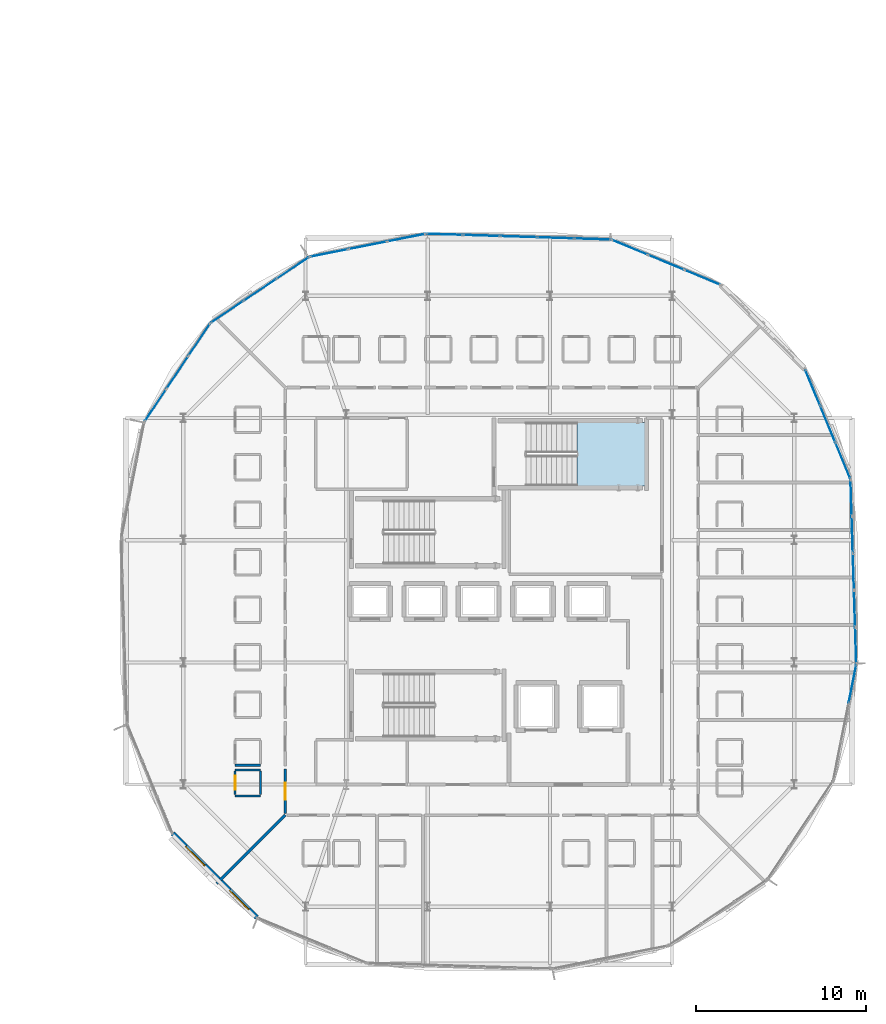
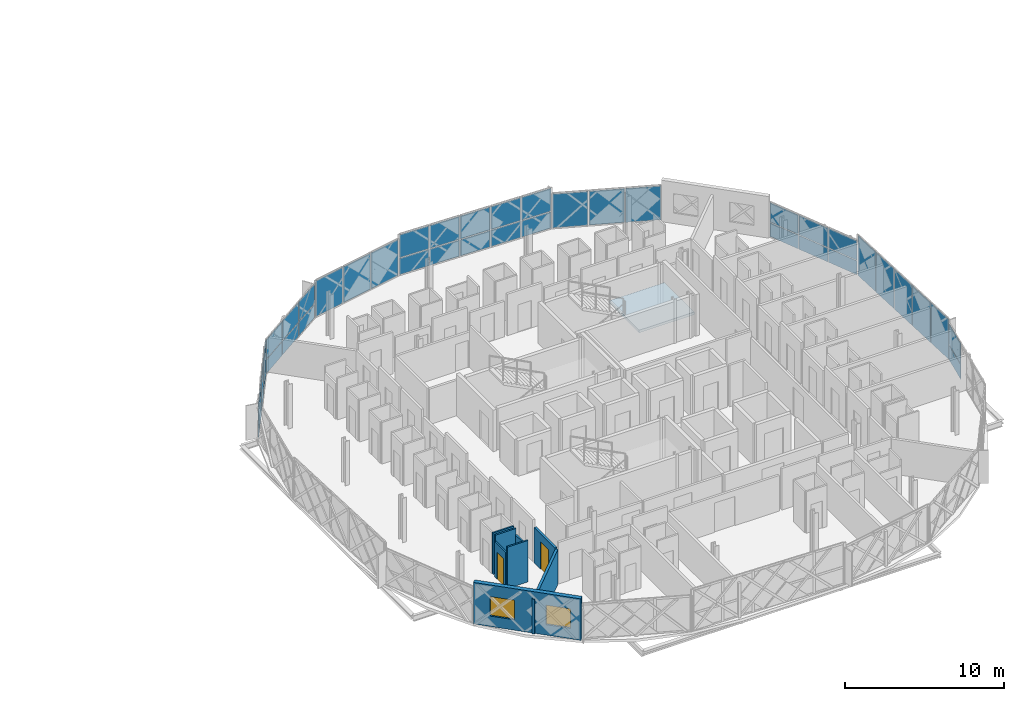
# One storey, part 14 of 26: 38 plates, 8 walls, 2 doors, 2 windows, 1 slab, 4 openings, 9 elements without a shape of their own.
"""IFC4 building model written with IfcOpenShell, lengths in metres."""

import ifcopenshell
import ifcopenshell.guid

model = None  # the IFC model being written
_history = None  # IfcOwnerHistory: only IFC2X3 demands one
_inside = {}  # id of a spatial element -> (the spatial element, [elements in it])
_under = {}  # id of a project, library or spatial element -> (it, [spatial elements below it])
_declared = {}  # id of a project -> (the project, [libraries it declares])
_typed = {}  # id of a type object -> (the type object, [elements of that type])
_made_of = {}  # id of a material, layer set ... -> (it, [elements and type objects made of it])


def new_model(schema):
    """Start an empty IFC model of exactly this schema.

    Asked for "IFC4X3", IfcOpenShell would pick the latest addendum, in which some entities
    have other attributes; the version numbers below select the first issue.
    IFC2X3 requires an IfcOwnerHistory on every rooted entity: one is made here for all.
    """
    global model, _history
    if schema == "IFC4X3":
        model = ifcopenshell.file(schema_version=(4, 3, 0, 0))
    else:
        model = ifcopenshell.file(schema=schema)
    _inside.clear()
    _under.clear()
    _declared.clear()
    _typed.clear()
    _made_of.clear()
    _history = None
    if model.schema == "IFC2X3":
        org = make("IfcOrganization", Name="unknown")
        user = make(
            "IfcPersonAndOrganization",
            ThePerson=make("IfcPerson", FamilyName="unknown"),
            TheOrganization=org,
        )
        app = make(
            "IfcApplication",
            ApplicationDeveloper=org,
            Version="unknown",
            ApplicationFullName="unknown",
            ApplicationIdentifier="unknown",
        )
        _history = make(
            "IfcOwnerHistory",
            OwningUser=user,
            OwningApplication=app,
            ChangeAction="ADDED",
            CreationDate=0,
        )
    return model


def make(cls, **values):
    """One entity of the class cls with the attributes given. An attribute that is None is left unset."""
    return model.create_entity(
        cls, **{name: value for name, value in values.items() if value is not None}
    )


def rooted(cls, **values):
    """An entity with a GlobalId (a new one), such as an element, a storey or a relation."""
    return make(cls, GlobalId=ifcopenshell.guid.new(), OwnerHistory=_history, **values)


def si_unit(unit_type, name, prefix=None):
    """IfcSIUnit, for example si_unit("LENGTHUNIT", "METRE", prefix="MILLI")."""
    return make("IfcSIUnit", UnitType=unit_type, Prefix=prefix, Name=name)


def assignment(units):
    """IfcUnitAssignment: the units of a project."""
    return None if units is None else make("IfcUnitAssignment", Units=units)


def point(xyz):
    """IfcCartesianPoint."""
    return None if xyz is None else make("IfcCartesianPoint", Coordinates=xyz)


def direction(xyz):
    """IfcDirection."""
    return None if xyz is None else make("IfcDirection", DirectionRatios=xyz)


def frame(location, z_axis=None, x_axis=None):
    """IfcAxis2Placement3D, a coordinate frame: its origin and axes. An axis left out is left unset."""
    return make(
        "IfcAxis2Placement3D",
        Location=point(location),
        Axis=direction(z_axis),
        RefDirection=direction(x_axis),
    )


def frame_2d(location, x_axis=None):
    """IfcAxis2Placement2D, a coordinate frame in the plane: its origin and x axis."""
    return make(
        "IfcAxis2Placement2D", Location=point(location), RefDirection=direction(x_axis)
    )


def origin():
    """The frame at (0, 0, 0) with its axes left unset."""
    return frame((0.0, 0.0, 0.0))


def origin_2d():
    """The frame at (0, 0) in the plane with its x axis left unset."""
    return frame_2d((0.0, 0.0))


def place(relative_to, where):
    """IfcLocalPlacement: puts the frame where relative to a parent placement (None: the world)."""
    return make(
        "IfcLocalPlacement", PlacementRelTo=relative_to, RelativePlacement=where
    )


def context(
    kind, dimensions, precision=None, world=None, true_north=None, identifier=None
):
    """IfcGeometricRepresentationContext, for example the 3D "Model" context."""
    return make(
        "IfcGeometricRepresentationContext",
        ContextIdentifier=identifier,
        ContextType=kind,
        CoordinateSpaceDimension=dimensions,
        Precision=precision,
        WorldCoordinateSystem=world,
        TrueNorth=true_north,
    )


def subcontext(parent, identifier, kind, view, scale=None):
    """IfcGeometricRepresentationSubContext, for example "Body" below "Model"."""
    return make(
        "IfcGeometricRepresentationSubContext",
        ContextIdentifier=identifier,
        ContextType=kind,
        ParentContext=parent,
        TargetScale=scale,
        TargetView=view,
    )


def project(units=None, contexts=None):
    """IfcProject with its units and contexts."""
    return rooted(
        "IfcProject",
        Name="project",
        RepresentationContexts=contexts,
        UnitsInContext=assignment(units),
    )


def spatial(cls, under=None, at=None, **own):
    """A site, building, storey or space (cls), placed at a placement, below another one or the project."""
    s = rooted(cls, ObjectPlacement=at, **own)
    if under is not None:
        _under.setdefault(under.id(), (under, []))[1].append(s)
    return s


def polyline(points):
    """IfcPolyline through the points."""
    return make("IfcPolyline", Points=[point(p) for p in points])


def profile(cls, at=None, kind="AREA", **sizes):
    """A parametric profile (cls). Its sizes go by their IFC names, for example OverallWidth=200.0."""
    return make(cls, ProfileType=kind, Position=at, **sizes)


def rectangle(**sizes):
    """IfcRectangleProfileDef."""
    return profile("IfcRectangleProfileDef", **sizes)


def outline(outer, holes=None, kind="AREA"):
    """IfcArbitraryClosedProfileDef: a profile drawn as a closed curve; with holes, ...WithVoids."""
    if holes is None:
        return make("IfcArbitraryClosedProfileDef", ProfileType=kind, OuterCurve=outer)
    return make(
        "IfcArbitraryProfileDefWithVoids",
        ProfileType=kind,
        OuterCurve=outer,
        InnerCurves=holes,
    )


def extrude(swept, where, along, depth):
    """IfcExtrudedAreaSolid: the profile swept, set in the frame where, extruded along a direction by depth."""
    return make(
        "IfcExtrudedAreaSolid",
        SweptArea=swept,
        Position=where,
        ExtrudedDirection=direction(along),
        Depth=depth,
    )


def shape(context_of_items, identifier, shape_type, items):
    """IfcShapeRepresentation: the items that make up one representation, for example the "Body"."""
    return make(
        "IfcShapeRepresentation",
        ContextOfItems=context_of_items,
        RepresentationIdentifier=identifier,
        RepresentationType=shape_type,
        Items=items,
    )


def material(Name=None, Category=None):
    """IfcMaterial."""
    return make("IfcMaterial", Name=Name, Category=Category)


def layer(
    of_material, thickness, ventilated=None, Name=None, Category=None, Priority=None
):
    """IfcMaterialLayer: one layer of a wall or slab, of a material (None: an air gap)."""
    return make(
        "IfcMaterialLayer",
        Material=of_material,
        LayerThickness=thickness,
        IsVentilated=ventilated,
        Name=Name,
        Category=Category,
        Priority=Priority,
    )


def layer_set(layers, Name=None):
    """IfcMaterialLayerSet."""
    return make("IfcMaterialLayerSet", MaterialLayers=layers, LayerSetName=Name)


def made_of(thing, what):
    """Note that an element or type object is made of a material, layer set ...; save() writes the relation."""
    if what is not None:
        _made_of.setdefault(what.id(), (what, []))[1].append(thing)
    return thing


def type_object(cls, material=None, **own):
    """A type object (cls), such as IfcWallType, which elements share."""
    return made_of(rooted(cls, **own), material)


def element(
    cls,
    number,
    at=None,
    inside=None,
    cuts=None,
    type_object=None,
    material=None,
    context=None,
    identifier="Body",
    shape_type=None,
    held_by="IfcProductDefinitionShape",
    body=None,
    shapes=None,
    **own,
):
    """One element of the class cls, such as IfcWall. Its Tag is "e" and its number.

    at: its placement. inside: the storey or other place that contains it. cuts: it is an
    opening in that element (IfcRelVoidsElement). A single representation is given by context,
    identifier, shape_type and body (its items); several are given by shapes. held_by: the class
    of the entity that holds the representations. save() writes the other relations.
    """
    e = rooted(cls, Tag="e%d" % number, ObjectPlacement=at, **own)
    if body is not None:
        shapes = [shape(context, identifier, shape_type, body)]
    if shapes is not None:
        e.Representation = make(held_by, Representations=shapes)
    if inside is not None:
        _inside.setdefault(inside.id(), (inside, []))[1].append(e)
    if cuts is not None:
        rooted(
            "IfcRelVoidsElement", RelatingBuildingElement=cuts, RelatedOpeningElement=e
        )
    if type_object is not None:
        _typed.setdefault(type_object.id(), (type_object, []))[1].append(e)
    return made_of(e, material)


def fill(opening, filler):
    """IfcRelFillsElement: the door or window that sits in an opening."""
    return rooted(
        "IfcRelFillsElement",
        RelatingOpeningElement=opening,
        RelatedBuildingElement=filler,
    )


def aggregate(whole, parts):
    """IfcRelAggregates: a whole, such as a stair, and the parts it consists of."""
    return rooted("IfcRelAggregates", RelatingObject=whole, RelatedObjects=parts)


def save(model, path):
    """Write the relations noted so far, then the file.

    IfcRelAggregates (storeys below a building ...), IfcRelContainedInSpatialStructure (elements
    in a storey), IfcRelDefinesByType, IfcRelAssociatesMaterial and IfcRelDeclares: one each for
    every whole, place, type object, material and project.
    """
    for whole, parts in _under.values():
        aggregate(whole, parts)
    for where, things in _inside.values():
        rooted(
            "IfcRelContainedInSpatialStructure",
            RelatedElements=things,
            RelatingStructure=where,
        )
    for kind, things in _typed.values():
        rooted("IfcRelDefinesByType", RelatedObjects=things, RelatingType=kind)
    for what, things in _made_of.values():
        rooted("IfcRelAssociatesMaterial", RelatedObjects=things, RelatingMaterial=what)
    for by, libraries in _declared.values():
        rooted("IfcRelDeclares", RelatingContext=by, RelatedDefinitions=libraries)
    model.write(path)


model = new_model("IFC4")

# Units and contexts
model_context = context("Model", 3, precision=1e-05, world=origin(), true_north=direction((0.0, 1.0)))
body_context = subcontext(model_context, "Body", "Model", "MODEL_VIEW")
ifc_project = project(units=[si_unit("LENGTHUNIT", "METRE"), si_unit("AREAUNIT", "SQUARE_METRE"), si_unit("VOLUMEUNIT", "CUBIC_METRE"), si_unit("PLANEANGLEUNIT", "RADIAN"), si_unit("MASSUNIT", "GRAM", prefix="KILO")], contexts=[model_context])

# Site, building, storey
site_placement = place(None, origin())
site = spatial("IfcSite", under=ifc_project, at=site_placement, CompositionType="ELEMENT")
building_placement = place(site_placement, origin())
building = spatial("IfcBuilding", under=site, at=building_placement, Name="Zevrakil Square Congress Hotel", CompositionType="ELEMENT")
storey_placement = place(building_placement, frame((0.0, 0.0, 24.89990234375)))
storey = spatial("IfcBuildingStorey", under=building, at=storey_placement, Name="L07", CompositionType="ELEMENT", Elevation=24.89990234375)

# Curtain wall, plate
ifc_material_1 = material(Name="Aluminium Anodised Bronze", Category="aluminium")
ifc_layer_1 = layer(ifc_material_1, 0.179931640625)
ifc_layer_set_1 = layer_set([ifc_layer_1], Name="Aluminium Anodised Bronze")
curtain_wall_type_1 = type_object("IfcCurtainWallType", Name="CW-L07-720", PredefinedType="USERDEFINED", material=ifc_layer_set_1)
curtain_wall_1_placement = place(storey_placement, origin())
curtain_wall_1 = element("IfcCurtainWall", 1, at=curtain_wall_1_placement, inside=storey, type_object=curtain_wall_type_1, Name="L07 diamond curtain wall CW-L07-0222", ObjectType="GLAZED CURTAIN WALL", PredefinedType="USERDEFINED")
ifc_material_2 = material(Name="Low-E Solar Control Double Glazing", Category="glass")
ifc_layer_2 = layer(ifc_material_2, 0.028076171875)
ifc_layer_set_2 = layer_set([ifc_layer_2], Name="Low-E Solar Control Double Glazing")
plate_type_1 = type_object("IfcPlateType", Name="CWP-GLAZ-28", PredefinedType="CURTAIN_PANEL", material=ifc_layer_set_2)
plate_1_placement = place(storey_placement, frame((166.62939453125, 22.735107421875, 0.06005859375), z_axis=(0.0, 0.0, 1.0), x_axis=(0.195083900459, 0.980786557708, 0.0)))
plate_1 = element("IfcPlate", 2, at=plate_1_placement, type_object=plate_type_1, Name="CW-82 panel 3.1", PredefinedType="CURTAIN_PANEL", context=body_context, shape_type="SweptSolid", body=[
    extrude(rectangle(XDim=2.2451171875, YDim=0.028076171875, at=origin_2d()), origin(), (0.0, 0.0, 1.0), 1.117431640625),
])

# Curtain wall, plates
ifc_material_3 = material(Name="Aluminium Anodised Bronze", Category="aluminium")
ifc_layer_3 = layer(ifc_material_3, 0.179931640625)
ifc_layer_set_3 = layer_set([ifc_layer_3], Name="Aluminium Anodised Bronze")
curtain_wall_type_2 = type_object("IfcCurtainWallType", Name="CW-L07-900", PredefinedType="USERDEFINED", material=ifc_layer_set_3)
curtain_wall_2_placement = place(storey_placement, origin())
curtain_wall_2 = element("IfcCurtainWall", 3, at=curtain_wall_2_placement, inside=storey, type_object=curtain_wall_type_2, Name="L07 diamond curtain wall CW-L07-0223", ObjectType="GLAZED CURTAIN WALL", PredefinedType="USERDEFINED")
plate_2_placement = place(storey_placement, frame((166.756591796875, 27.1689453125, 0.06005859375), z_axis=(0.0, 0.0, 1.0), x_axis=(-0.031598464383, 0.999500643846, 0.0)))
plate_2 = element("IfcPlate", 4, at=plate_2_placement, type_object=plate_type_1, Name="CW-84 panel 2.1", PredefinedType="CURTAIN_PANEL", context=body_context, shape_type="SweptSolid", body=[
    extrude(rectangle(XDim=2.12353515625, YDim=0.028076171875, at=origin_2d()), origin(), (0.0, 0.0, 1.0), 3.070068359375),
])
plate_3_placement = place(storey_placement, frame((166.618408203125, 31.533935546875, 0.06005859375), z_axis=(0.0, 0.0, 1.0), x_axis=(-0.031598464383, 0.999500643846, 0.0)))
plate_3 = element("IfcPlate", 5, at=plate_3_placement, type_object=plate_type_1, Name="CW-84 panel 4.1", PredefinedType="CURTAIN_PANEL", context=body_context, shape_type="SweptSolid", body=[
    extrude(rectangle(XDim=2.12353515625, YDim=0.028076171875, at=origin_2d()), origin(), (0.0, 0.0, 1.0), 3.070068359375),
])

curtain_wall_3_placement = place(storey_placement, origin())
curtain_wall_3 = element("IfcCurtainWall", 6, at=curtain_wall_3_placement, inside=storey, type_object=curtain_wall_type_1, Name="L07 diamond curtain wall CW-L07-0224", ObjectType="GLAZED CURTAIN WALL", PredefinedType="USERDEFINED")
plate_4_placement = place(storey_placement, frame((166.0625, 35.900390625, 0.06005859375), z_axis=(0.0, 0.0, 1.0), x_axis=(-0.382683763454, 0.92387939537, 0.0)))
plate_4 = element("IfcPlate", 7, at=plate_4_placement, type_object=plate_type_1, Name="CW-82 panel 1.1", PredefinedType="CURTAIN_PANEL", context=body_context, shape_type="SweptSolid", body=[
    extrude(rectangle(XDim=2.245361328125, YDim=0.028076171875, at=origin_2d()), origin(), (0.0, 0.0, 1.0), 1.054443359375),
])
plate_5_placement = place(storey_placement, frame((165.174560546875, 38.0439453125, 0.06005859375), z_axis=(0.0, 0.0, 1.0), x_axis=(-0.382683763454, 0.92387939537, 0.0)))
plate_5 = element("IfcPlate", 8, at=plate_5_placement, type_object=plate_type_1, Name="CW-82 panel 2.1", PredefinedType="CURTAIN_PANEL", context=body_context, shape_type="SweptSolid", body=[
    extrude(rectangle(XDim=2.275146484375, YDim=0.028076171875, at=origin_2d()), origin(), (0.0, 0.0, 1.0), 1.054443359375),
])
plate_6_placement = place(storey_placement, frame((164.28662109375, 40.187744140625, 1.1748046875), z_axis=(0.0, 0.0, 1.0), x_axis=(-0.382683763454, 0.92387939537, 0.0)))
plate_6 = element("IfcPlate", 9, at=plate_6_placement, type_object=plate_type_1, Name="CW-82 panel 3.2", PredefinedType="CURTAIN_PANEL", context=body_context, shape_type="SweptSolid", body=[
    extrude(rectangle(XDim=2.245361328125, YDim=0.028076171875, at=origin_2d()), origin(), (0.0, 0.0, 1.0), 1.490478515625),
])

# Curtain wall, plate
curtain_wall_4_placement = place(storey_placement, origin())
curtain_wall_4 = element("IfcCurtainWall", 10, at=curtain_wall_4_placement, inside=storey, type_object=curtain_wall_type_1, Name="L07 diamond curtain wall CW-L07-0225", ObjectType="GLAZED CURTAIN WALL", PredefinedType="USERDEFINED")
plate_7_placement = place(storey_placement, frame((155.64404296875, 47.574462890625, 0.06005859375), z_axis=(0.0, 0.0, 1.0), x_axis=(-0.92387939537, 0.382683763454, 0.0)))
plate_7 = element("IfcPlate", 11, at=plate_7_placement, type_object=plate_type_1, Name="CW-82 panel 2.1", PredefinedType="CURTAIN_PANEL", context=body_context, shape_type="SweptSolid", body=[
    extrude(rectangle(XDim=2.275146484375, YDim=0.028076171875, at=origin_2d()), origin(), (0.0, 0.0, 1.0), 2.60498046875),
])

# Curtain wall, plates
curtain_wall_5_placement = place(storey_placement, origin())
curtain_wall_5 = element("IfcCurtainWall", 12, at=curtain_wall_5_placement, inside=storey, type_object=curtain_wall_type_2, Name="L07 diamond curtain wall CW-L07-0226", ObjectType="GLAZED CURTAIN WALL", PredefinedType="USERDEFINED")
plate_8_placement = place(storey_placement, frame((151.301513671875, 48.949951171875, 0.06005859375), z_axis=(0.0, 0.0, 1.0), x_axis=(-0.999500643846, 0.031598464383, 0.0)))
plate_8 = element("IfcPlate", 13, at=plate_8_placement, type_object=plate_type_1, Name="CW-84 panel 1.1", PredefinedType="CURTAIN_PANEL", context=body_context, shape_type="SweptSolid", body=[
    extrude(rectangle(XDim=2.09375, YDim=0.028076171875, at=origin_2d()), origin(), (0.0, 0.0, 1.0), 1.249755859375),
])
plate_9_placement = place(storey_placement, frame((149.134033203125, 49.0185546875, 1.369873046875), z_axis=(0.0, 0.0, 1.0), x_axis=(-0.999500643846, 0.031598464383, 0.0)))
plate_9 = element("IfcPlate", 14, at=plate_9_placement, type_object=plate_type_1, Name="CW-84 panel 2.2", PredefinedType="CURTAIN_PANEL", context=body_context, shape_type="SweptSolid", body=[
    extrude(rectangle(XDim=2.12353515625, YDim=0.028076171875, at=origin_2d()), origin(), (0.0, 0.0, 1.0), 1.76025390625),
])
plate_10_placement = place(storey_placement, frame((146.951416015625, 49.08740234375, 1.369873046875), z_axis=(0.0, 0.0, 1.0), x_axis=(-0.999500643846, 0.031598464383, 0.0)))
plate_10 = element("IfcPlate", 15, at=plate_10_placement, type_object=plate_type_1, Name="CW-84 panel 3.2", PredefinedType="CURTAIN_PANEL", context=body_context, shape_type="SweptSolid", body=[
    extrude(rectangle(XDim=2.12353515625, YDim=0.028076171875, at=origin_2d()), origin(), (0.0, 0.0, 1.0), 1.76025390625),
])
plate_11_placement = place(storey_placement, frame((142.601318359375, 49.22509765625, 0.06005859375), z_axis=(0.0, 0.0, 1.0), x_axis=(-0.999500643846, 0.031598464383, 0.0)))
plate_11 = element("IfcPlate", 16, at=plate_11_placement, type_object=plate_type_1, Name="CW-84 panel 5.1", PredefinedType="CURTAIN_PANEL", context=body_context, shape_type="SweptSolid", body=[
    extrude(rectangle(XDim=2.09375, YDim=0.028076171875, at=origin_2d()), origin(), (0.0, 0.0, 1.0), 1.249755859375),
])

# Curtain wall, plate
curtain_wall_6_placement = place(storey_placement, origin())
curtain_wall_6 = element("IfcCurtainWall", 17, at=curtain_wall_6_placement, inside=storey, type_object=curtain_wall_type_1, Name="L07 diamond curtain wall CW-L07-0227", ObjectType="GLAZED CURTAIN WALL", PredefinedType="USERDEFINED")
plate_12_placement = place(storey_placement, frame((135.78369140625, 48.1240234375, 0.06005859375), z_axis=(0.0, 0.0, 1.0), x_axis=(-0.980786557708, -0.195083900459, 0.0)))
plate_12 = element("IfcPlate", 18, at=plate_12_placement, type_object=plate_type_1, Name="CW-82 panel 3.1", PredefinedType="CURTAIN_PANEL", context=body_context, shape_type="SweptSolid", body=[
    extrude(rectangle(XDim=2.2451171875, YDim=0.028076171875, at=origin_2d()), origin(), (0.0, 0.0, 1.0), 2.7548828125),
])

# Curtain wall, plates
curtain_wall_7_placement = place(storey_placement, origin())
curtain_wall_7 = element("IfcCurtainWall", 19, at=curtain_wall_7_placement, inside=storey, type_object=curtain_wall_type_1, Name="L07 diamond curtain wall CW-L07-0228", ObjectType="GLAZED CURTAIN WALL", PredefinedType="USERDEFINED")
plate_13_placement = place(storey_placement, frame((133.640625, 47.236328125, 1.1748046875), z_axis=(0.0, 0.0, 1.0), x_axis=(-0.831465693332, -0.555576098128, 0.0)))
plate_13 = element("IfcPlate", 20, at=plate_13_placement, type_object=plate_type_1, Name="CW-82 panel 1.2", PredefinedType="CURTAIN_PANEL", context=body_context, shape_type="SweptSolid", body=[
    extrude(rectangle(XDim=2.2451171875, YDim=0.028076171875, at=origin_2d()), origin(), (0.0, 0.0, 1.0), 1.490478515625),
])
plate_14_placement = place(storey_placement, frame((131.71142578125, 45.947265625, 1.1748046875), z_axis=(0.0, 0.0, 1.0), x_axis=(-0.831465693332, -0.555576098128, 0.0)))
plate_14 = element("IfcPlate", 21, at=plate_14_placement, type_object=plate_type_1, Name="CW-82 panel 2.2", PredefinedType="CURTAIN_PANEL", context=body_context, shape_type="SweptSolid", body=[
    extrude(rectangle(XDim=2.275146484375, YDim=0.028076171875, at=origin_2d()), origin(), (0.0, 0.0, 1.0), 1.490478515625),
])

curtain_wall_8_placement = place(storey_placement, origin())
curtain_wall_8 = element("IfcCurtainWall", 22, at=curtain_wall_8_placement, inside=storey, type_object=curtain_wall_type_1, Name="L07 diamond curtain wall CW-L07-0229", ObjectType="GLAZED CURTAIN WALL", PredefinedType="USERDEFINED")
plate_15_placement = place(storey_placement, frame((128.141845703125, 43.017822265625, 0.06005859375), z_axis=(0.0, 0.0, 1.0), x_axis=(-0.555576098128, -0.831465693332, 0.0)))
plate_15 = element("IfcPlate", 23, at=plate_15_placement, type_object=plate_type_1, Name="CW-82 panel 1.1", PredefinedType="CURTAIN_PANEL", context=body_context, shape_type="SweptSolid", body=[
    extrude(rectangle(XDim=2.2451171875, YDim=0.028076171875, at=origin_2d()), origin(), (0.0, 0.0, 1.0), 2.60498046875),
])
plate_16_placement = place(storey_placement, frame((125.563720703125, 39.159423828125, 0.06005859375), z_axis=(0.0, 0.0, 1.0), x_axis=(-0.555576098128, -0.831465693332, 0.0)))
plate_16 = element("IfcPlate", 24, at=plate_16_placement, type_object=plate_type_1, Name="CW-82 panel 3.1", PredefinedType="CURTAIN_PANEL", context=body_context, shape_type="SweptSolid", body=[
    extrude(rectangle(XDim=2.2451171875, YDim=0.028076171875, at=origin_2d()), origin(), (0.0, 0.0, 1.0), 2.60498046875),
])

# Plate
ifc_material_4 = material(Name="Basalt Grey Ribbed GRC Panel", Category="masonry")
ifc_layer_4 = layer(ifc_material_4, 0.0439453125)
ifc_layer_set_4 = layer_set([ifc_layer_4], Name="Basalt Grey Ribbed GRC Panel")
plate_type_2 = type_object("IfcPlateType", Name="CWP-GRCG-44", PredefinedType="CURTAIN_PANEL", material=ifc_layer_set_4)
plate_17_placement = place(storey_placement, frame((166.824951171875, 25.001220703125, 0.06005859375), z_axis=(0.0, 0.0, 1.0), x_axis=(-0.031598464383, 0.999500643846, 0.0)))
plate_17 = element("IfcPlate", 25, at=plate_17_placement, type_object=plate_type_2, Name="CW-84 panel 1.1", PredefinedType="CURTAIN_PANEL", context=body_context, shape_type="SweptSolid", body=[
    extrude(rectangle(XDim=2.09375, YDim=0.028076171875, at=origin_2d()), origin(), (0.0, 0.0, 1.0), 3.070068359375),
])

plate_18_placement = place(storey_placement, frame((164.28662109375, 40.187744140625, 0.06005859375), z_axis=(0.0, 0.0, 1.0), x_axis=(-0.382683763454, 0.92387939537, 0.0)))
plate_18 = element("IfcPlate", 26, at=plate_18_placement, type_object=plate_type_2, Name="CW-82 panel 3.1", PredefinedType="CURTAIN_PANEL", context=body_context, shape_type="SweptSolid", body=[
    extrude(rectangle(XDim=2.245361328125, YDim=0.028076171875, at=origin_2d()), origin(), (0.0, 0.0, 1.0), 1.054443359375),
])

plate_19_placement = place(storey_placement, frame((149.134033203125, 49.0185546875, 0.06005859375), z_axis=(0.0, 0.0, 1.0), x_axis=(-0.999500643846, 0.031598464383, 0.0)))
plate_19 = element("IfcPlate", 27, at=plate_19_placement, type_object=plate_type_2, Name="CW-84 panel 2.1", PredefinedType="CURTAIN_PANEL", context=body_context, shape_type="SweptSolid", body=[
    extrude(rectangle(XDim=2.12353515625, YDim=0.028076171875, at=origin_2d()), origin(), (0.0, 0.0, 1.0), 1.249755859375),
])

plate_20_placement = place(storey_placement, frame((144.768798828125, 49.156494140625, 1.369873046875), z_axis=(0.0, 0.0, 1.0), x_axis=(-0.999500643846, 0.031598464383, 0.0)))
plate_20 = element("IfcPlate", 28, at=plate_20_placement, type_object=plate_type_2, Name="CW-84 panel 4.2", PredefinedType="CURTAIN_PANEL", context=body_context, shape_type="SweptSolid", body=[
    extrude(rectangle(XDim=2.12353515625, YDim=0.028076171875, at=origin_2d()), origin(), (0.0, 0.0, 1.0), 1.76025390625),
])

plate_21_placement = place(storey_placement, frame((138.0595703125, 48.57666015625, 0.06005859375), z_axis=(0.0, 0.0, 1.0), x_axis=(-0.980786557708, -0.195083900459, 0.0)))
plate_21 = element("IfcPlate", 29, at=plate_21_placement, type_object=plate_type_2, Name="CW-82 panel 2.1", PredefinedType="CURTAIN_PANEL", context=body_context, shape_type="SweptSolid", body=[
    extrude(rectangle(XDim=2.275146484375, YDim=0.028076171875, at=origin_2d()), origin(), (0.0, 0.0, 1.0), 2.7548828125),
])

plate_22_placement = place(storey_placement, frame((133.640625, 47.236328125, 0.06005859375), z_axis=(0.0, 0.0, 1.0), x_axis=(-0.831465693332, -0.555576098128, 0.0)))
plate_22 = element("IfcPlate", 30, at=plate_22_placement, type_object=plate_type_2, Name="CW-82 panel 1.1", PredefinedType="CURTAIN_PANEL", context=body_context, shape_type="SweptSolid", body=[
    extrude(rectangle(XDim=2.2451171875, YDim=0.028076171875, at=origin_2d()), origin(), (0.0, 0.0, 1.0), 1.054443359375),
])

plate_23_placement = place(storey_placement, frame((129.7822265625, 44.658203125, 1.1748046875), z_axis=(0.0, 0.0, 1.0), x_axis=(-0.831465693332, -0.555576098128, 0.0)))
plate_23 = element("IfcPlate", 31, at=plate_23_placement, type_object=plate_type_2, Name="CW-82 panel 3.2", PredefinedType="CURTAIN_PANEL", context=body_context, shape_type="SweptSolid", body=[
    extrude(rectangle(XDim=2.2451171875, YDim=0.028076171875, at=origin_2d()), origin(), (0.0, 0.0, 1.0), 1.490478515625),
])

ifc_material_5 = material(Name="White Ribbed Highland GRC Panel", Category="concrete")
ifc_layer_5 = layer(ifc_material_5, 0.0400390625)
ifc_layer_set_5 = layer_set([ifc_layer_5], Name="White Ribbed Highland GRC Panel")
plate_type_3 = type_object("IfcPlateType", Name="CWP-GRCW-40", PredefinedType="CURTAIN_PANEL", material=ifc_layer_set_5)
plate_24_placement = place(storey_placement, frame((166.62939453125, 22.735107421875, 1.23779296875), z_axis=(0.0, 0.0, 1.0), x_axis=(0.195083900459, 0.980786557708, 0.0)))
plate_24 = element("IfcPlate", 32, at=plate_24_placement, type_object=plate_type_3, Name="CW-82 panel 3.2", PredefinedType="CURTAIN_PANEL", context=body_context, shape_type="SweptSolid", body=[
    extrude(rectangle(XDim=2.2451171875, YDim=0.028076171875, at=origin_2d()), origin(), (0.0, 0.0, 1.0), 1.577392578125),
])

aggregate(curtain_wall_1, [plate_1, plate_24])

plate_25_placement = place(storey_placement, frame((166.6875, 29.351318359375, 0.06005859375), z_axis=(0.0, 0.0, 1.0), x_axis=(-0.031598464383, 0.999500643846, 0.0)))
plate_25 = element("IfcPlate", 33, at=plate_25_placement, type_object=plate_type_3, Name="CW-84 panel 3.1", PredefinedType="CURTAIN_PANEL", context=body_context, shape_type="SweptSolid", body=[
    extrude(rectangle(XDim=2.12353515625, YDim=0.028076171875, at=origin_2d()), origin(), (0.0, 0.0, 1.0), 3.070068359375),
])

plate_26_placement = place(storey_placement, frame((166.550048828125, 33.701416015625, 0.06005859375), z_axis=(0.0, 0.0, 1.0), x_axis=(-0.031598464383, 0.999500643846, 0.0)))
plate_26 = element("IfcPlate", 34, at=plate_26_placement, type_object=plate_type_3, Name="CW-84 panel 5.1", PredefinedType="CURTAIN_PANEL", context=body_context, shape_type="SweptSolid", body=[
    extrude(rectangle(XDim=2.09375, YDim=0.028076171875, at=origin_2d()), origin(), (0.0, 0.0, 1.0), 3.070068359375),
])

aggregate(curtain_wall_2, [plate_17, plate_2, plate_25, plate_3, plate_26])

plate_27_placement = place(storey_placement, frame((166.0625, 35.900390625, 1.1748046875), z_axis=(0.0, 0.0, 1.0), x_axis=(-0.382683763454, 0.92387939537, 0.0)))
plate_27 = element("IfcPlate", 35, at=plate_27_placement, type_object=plate_type_3, Name="CW-82 panel 1.2", PredefinedType="CURTAIN_PANEL", context=body_context, shape_type="SweptSolid", body=[
    extrude(rectangle(XDim=2.245361328125, YDim=0.028076171875, at=origin_2d()), origin(), (0.0, 0.0, 1.0), 1.490478515625),
])

plate_28_placement = place(storey_placement, frame((165.174560546875, 38.0439453125, 1.1748046875), z_axis=(0.0, 0.0, 1.0), x_axis=(-0.382683763454, 0.92387939537, 0.0)))
plate_28 = element("IfcPlate", 36, at=plate_28_placement, type_object=plate_type_3, Name="CW-82 panel 2.2", PredefinedType="CURTAIN_PANEL", context=body_context, shape_type="SweptSolid", body=[
    extrude(rectangle(XDim=2.275146484375, YDim=0.028076171875, at=origin_2d()), origin(), (0.0, 0.0, 1.0), 1.490478515625),
])

aggregate(curtain_wall_3, [plate_4, plate_27, plate_5, plate_28, plate_18, plate_6])

plate_29_placement = place(storey_placement, frame((157.78759765625, 46.6865234375, 0.06005859375), z_axis=(0.0, 0.0, 1.0), x_axis=(-0.92387939537, 0.382683763454, 0.0)))
plate_29 = element("IfcPlate", 37, at=plate_29_placement, type_object=plate_type_3, Name="CW-82 panel 1.1", PredefinedType="CURTAIN_PANEL", context=body_context, shape_type="SweptSolid", body=[
    extrude(rectangle(XDim=2.245361328125, YDim=0.028076171875, at=origin_2d()), origin(), (0.0, 0.0, 1.0), 2.60498046875),
])

plate_30_placement = place(storey_placement, frame((153.50048828125, 48.46240234375, 0.06005859375), z_axis=(0.0, 0.0, 1.0), x_axis=(-0.92387939537, 0.382683763454, 0.0)))
plate_30 = element("IfcPlate", 38, at=plate_30_placement, type_object=plate_type_3, Name="CW-82 panel 3.1", PredefinedType="CURTAIN_PANEL", context=body_context, shape_type="SweptSolid", body=[
    extrude(rectangle(XDim=2.245361328125, YDim=0.028076171875, at=origin_2d()), origin(), (0.0, 0.0, 1.0), 2.60498046875),
])

aggregate(curtain_wall_4, [plate_29, plate_7, plate_30])

plate_31_placement = place(storey_placement, frame((151.301513671875, 48.949951171875, 1.369873046875), z_axis=(0.0, 0.0, 1.0), x_axis=(-0.999500643846, 0.031598464383, 0.0)))
plate_31 = element("IfcPlate", 39, at=plate_31_placement, type_object=plate_type_3, Name="CW-84 panel 1.2", PredefinedType="CURTAIN_PANEL", context=body_context, shape_type="SweptSolid", body=[
    extrude(rectangle(XDim=2.09375, YDim=0.028076171875, at=origin_2d()), origin(), (0.0, 0.0, 1.0), 1.76025390625),
])

plate_32_placement = place(storey_placement, frame((146.951416015625, 49.08740234375, 0.06005859375), z_axis=(0.0, 0.0, 1.0), x_axis=(-0.999500643846, 0.031598464383, 0.0)))
plate_32 = element("IfcPlate", 40, at=plate_32_placement, type_object=plate_type_3, Name="CW-84 panel 3.1", PredefinedType="CURTAIN_PANEL", context=body_context, shape_type="SweptSolid", body=[
    extrude(rectangle(XDim=2.12353515625, YDim=0.028076171875, at=origin_2d()), origin(), (0.0, 0.0, 1.0), 1.249755859375),
])

plate_33_placement = place(storey_placement, frame((144.768798828125, 49.156494140625, 0.06005859375), z_axis=(0.0, 0.0, 1.0), x_axis=(-0.999500643846, 0.031598464383, 0.0)))
plate_33 = element("IfcPlate", 41, at=plate_33_placement, type_object=plate_type_3, Name="CW-84 panel 4.1", PredefinedType="CURTAIN_PANEL", context=body_context, shape_type="SweptSolid", body=[
    extrude(rectangle(XDim=2.12353515625, YDim=0.028076171875, at=origin_2d()), origin(), (0.0, 0.0, 1.0), 1.249755859375),
])

plate_34_placement = place(storey_placement, frame((142.601318359375, 49.22509765625, 1.369873046875), z_axis=(0.0, 0.0, 1.0), x_axis=(-0.999500643846, 0.031598464383, 0.0)))
plate_34 = element("IfcPlate", 42, at=plate_34_placement, type_object=plate_type_3, Name="CW-84 panel 5.2", PredefinedType="CURTAIN_PANEL", context=body_context, shape_type="SweptSolid", body=[
    extrude(rectangle(XDim=2.09375, YDim=0.028076171875, at=origin_2d()), origin(), (0.0, 0.0, 1.0), 1.76025390625),
])

aggregate(curtain_wall_5, [plate_8, plate_31, plate_19, plate_9, plate_32, plate_10, plate_33, plate_20, plate_11, plate_34])

plate_35_placement = place(storey_placement, frame((140.335205078125, 49.029296875, 0.06005859375), z_axis=(0.0, 0.0, 1.0), x_axis=(-0.980786557708, -0.195083900459, 0.0)))
plate_35 = element("IfcPlate", 43, at=plate_35_placement, type_object=plate_type_3, Name="CW-82 panel 1.1", PredefinedType="CURTAIN_PANEL", context=body_context, shape_type="SweptSolid", body=[
    extrude(rectangle(XDim=2.2451171875, YDim=0.028076171875, at=origin_2d()), origin(), (0.0, 0.0, 1.0), 2.7548828125),
])

aggregate(curtain_wall_6, [plate_35, plate_21, plate_12])

plate_36_placement = place(storey_placement, frame((131.71142578125, 45.947265625, 0.06005859375), z_axis=(0.0, 0.0, 1.0), x_axis=(-0.831465693332, -0.555576098128, 0.0)))
plate_36 = element("IfcPlate", 44, at=plate_36_placement, type_object=plate_type_3, Name="CW-82 panel 2.1", PredefinedType="CURTAIN_PANEL", context=body_context, shape_type="SweptSolid", body=[
    extrude(rectangle(XDim=2.275146484375, YDim=0.028076171875, at=origin_2d()), origin(), (0.0, 0.0, 1.0), 1.054443359375),
])

plate_37_placement = place(storey_placement, frame((129.7822265625, 44.658203125, 0.06005859375), z_axis=(0.0, 0.0, 1.0), x_axis=(-0.831465693332, -0.555576098128, 0.0)))
plate_37 = element("IfcPlate", 45, at=plate_37_placement, type_object=plate_type_3, Name="CW-82 panel 3.1", PredefinedType="CURTAIN_PANEL", context=body_context, shape_type="SweptSolid", body=[
    extrude(rectangle(XDim=2.2451171875, YDim=0.028076171875, at=origin_2d()), origin(), (0.0, 0.0, 1.0), 1.054443359375),
])

aggregate(curtain_wall_7, [plate_22, plate_13, plate_36, plate_14, plate_37, plate_23])

plate_38_placement = place(storey_placement, frame((126.852783203125, 41.088623046875, 0.06005859375), z_axis=(0.0, 0.0, 1.0), x_axis=(-0.555576098128, -0.831465693332, 0.0)))
plate_38 = element("IfcPlate", 46, at=plate_38_placement, type_object=plate_type_3, Name="CW-82 panel 2.1", PredefinedType="CURTAIN_PANEL", context=body_context, shape_type="SweptSolid", body=[
    extrude(rectangle(XDim=2.275146484375, YDim=0.028076171875, at=origin_2d()), origin(), (0.0, 0.0, 1.0), 2.60498046875),
])

aggregate(curtain_wall_8, [plate_15, plate_38, plate_16])

# Stair, slab
ifc_material_6 = material(Name="Concrete C35/45", Category="concrete")
stair_type = type_object("IfcStairType", Name="STR-DOGLEG-180", PredefinedType="HALF_TURN_STAIR", material=ifc_material_6)
stair_placement = place(storey_placement, origin())
stair = element("IfcStair", 47, at=stair_placement, inside=storey, type_object=stair_type, Name="L07 Protected exit stair ST03", PredefinedType="HALF_TURN_STAIR")
ifc_material_7 = material(Name="Concrete C35/45", Category="concrete")
ifc_layer_6 = layer(ifc_material_7, 0.199951171875)
ifc_layer_set_6 = layer_set([ifc_layer_6], Name="Concrete C35/45")
slab_type = type_object("IfcSlabType", Name="SLB-STAIR-LAND-200", PredefinedType="LANDING", material=ifc_layer_set_6)
slab_placement = place(storey_placement, frame((0.0, 0.0, 1.5)))
slab = element("IfcSlab", 48, at=slab_placement, type_object=slab_type, Name="ST03 landing 1", PredefinedType="LANDING", context=body_context, shape_type="SweptSolid", body=[
    extrude(outline(polyline([(150.39990234375, 34.39990234375), (154.39990234375, 34.39990234375), (154.39990234375, 38.14990234375), (150.39990234375, 38.14990234375), (150.39990234375, 34.39990234375)])), origin(), (0.0, 0.0, 1.0), 0.2001953125),
])
aggregate(stair, [slab])

# Wall, opening, door
ifc_material_8 = material(Name="Gypsum Acoustic Stud Partition")
ifc_layer_7 = layer(ifc_material_8, 0.159912109375)
ifc_layer_set_7 = layer_set([ifc_layer_7], Name="Gypsum Acoustic Stud Partition")
wall_type_1 = type_object("IfcWallType", Name="WAL-CORR-160", PredefinedType="PARTITIONING", material=ifc_layer_set_7)
wall_1_placement = place(storey_placement, frame((133.199951171875, 15.094970703125, 0.0), z_axis=(0.0, 0.0, 1.0), x_axis=(0.0, 1.0, 0.0)))
wall_1 = element("IfcWall", 49, at=wall_1_placement, inside=storey, type_object=wall_type_1, Name="L07 interior partition PW-L07-1106", PredefinedType="PARTITIONING", context=body_context, shape_type="SweptSolid", body=[
    extrude(rectangle(XDim=2.610107421875, YDim=0.159912109375, at=frame_2d((1.30517578125, 0.0))), origin(), (0.0, 0.0, 1.0), 2.72509765625),
])
opening_1_placement = place(wall_1_placement, frame((0.806884765625, 0.0, 0.0)))
opening_1 = element("IfcOpeningElement", 50, at=opening_1_placement, cuts=wall_1, Name="Opening ID-H13", PredefinedType="OPENING", context=body_context, shape_type="SweptSolid", body=[
    extrude(rectangle(XDim=0.99609375, YDim=2.10009765625, at=frame_2d((0.498046875, 1.050048828125))), frame((0.0, 0.08984375, 0.0), z_axis=(0.0, -1.0, 0.0), x_axis=(1.0, 0.0, 0.0)), (0.0, 0.0, 1.0), 0.179931640625),
])
ifc_material_9 = material(Name="Acoustic Timber Fire Door", Category="wood")
door_type_1 = type_object("IfcDoorType", Name="DOR-INT-H13", OperationType="NOTDEFINED", PredefinedType="DOOR", material=ifc_material_9)
door_1_placement = place(opening_1_placement, origin())
door_1 = element("IfcDoor", 51, at=door_1_placement, inside=storey, type_object=door_type_1, Name="L07 interior door 434", OperationType="SINGLE_SWING_RIGHT", OverallHeight=2.10009765625, OverallWidth=0.99609375, PredefinedType="DOOR", context=body_context, shape_type="SweptSolid", body=[
    extrude(rectangle(XDim=0.99609375, YDim=2.10009765625, at=frame_2d((0.498046875, 1.050048828125))), frame((0.0, 0.02490234375, 0.0), z_axis=(0.0, -1.0, 0.0), x_axis=(1.0, 0.0, 0.0)), (0.0, 0.0, 1.0), 0.050048828125),
])
fill(opening_1, door_1)

# Walls
ifc_material_10 = material(Name="Moisture-Resistant Gypsum Partition")
ifc_layer_8 = layer(ifc_material_10, 0.1201171875)
ifc_layer_set_8 = layer_set([ifc_layer_8], Name="Moisture-Resistant Gypsum Partition")
wall_type_2 = type_object("IfcWallType", Name="WAL-ENS-120", PredefinedType="PARTITIONING", material=ifc_layer_set_8)
for number, where, z_axis, x_axis, name in (
    (52, (130.25, 17.93994140625, 0.0), (0.0, 0.0, 1.0), (1.0, 0.0, 0.0), "L07 interior partition PW-L07-1102"),
    (53, (130.25, 16.139892578125, 0.0), (0.0, 0.0, 1.0), (1.0, 0.0, 0.0), "L07 interior partition PW-L07-1107"),
    (54, (130.25, 17.659912109375, 0.0), (0.0, 0.0, 1.0), (1.0, 0.0, 0.0), "L07 interior partition PW-L07-1108"),
):
    element("IfcWall", number, at=place(storey_placement, frame(where, z_axis=z_axis, x_axis=x_axis)), inside=storey, type_object=wall_type_2, Name=name, PredefinedType="PARTITIONING", context=body_context, shape_type="SweptSolid", body=[
        extrude(rectangle(XDim=1.5, YDim=0.1201171875, at=frame_2d((0.75, 0.0))), origin(), (0.0, 0.0, 1.0), 3.190185546875),
    ])

# Wall, opening, door
wall_2_placement = place(storey_placement, frame((130.25, 16.205078125, 0.0), z_axis=(0.0, 0.0, 1.0), x_axis=(0.0, 1.0, 0.0)))
wall_2 = element("IfcWall", 55, at=wall_2_placement, inside=storey, type_object=wall_type_2, Name="L07 interior partition PW-L07-1109", PredefinedType="PARTITIONING", context=body_context, shape_type="SweptSolid", body=[
    extrude(rectangle(XDim=1.389892578125, YDim=0.1201171875, at=frame_2d((0.69482421875, 0.0))), origin(), (0.0, 0.0, 1.0), 2.72509765625),
])
opening_2_placement = place(wall_2_placement, frame((0.284912109375, 0.0, 0.0)))
opening_2 = element("IfcOpeningElement", 56, at=opening_2_placement, cuts=wall_2, Name="Opening ID-11", PredefinedType="OPENING", context=body_context, shape_type="SweptSolid", body=[
    extrude(rectangle(XDim=0.820068359375, YDim=2.080078125, at=frame_2d((0.41015625, 1.0400390625))), frame((0.0, 0.070068359375, 0.0), z_axis=(0.0, -1.0, 0.0), x_axis=(1.0, 0.0, 0.0)), (0.0, 0.0, 1.0), 0.14013671875),
])
ifc_material_11 = material(Name="Acoustic Timber Door", Category="wood")
door_type_2 = type_object("IfcDoorType", Name="DOR-INT-V01", OperationType="NOTDEFINED", PredefinedType="DOOR", material=ifc_material_11)
door_2_placement = place(opening_2_placement, origin())
door_2 = element("IfcDoor", 57, at=door_2_placement, inside=storey, type_object=door_type_2, Name="L07 interior door 435", OperationType="SINGLE_SWING_LEFT", OverallHeight=2.080078125, OverallWidth=0.820068359375, PredefinedType="DOOR", context=body_context, shape_type="SweptSolid", body=[
    extrude(rectangle(XDim=0.820068359375, YDim=2.080078125, at=frame_2d((0.41015625, 1.0400390625))), frame((0.0, 0.02490234375, 0.0), z_axis=(0.0, -1.0, 0.0), x_axis=(1.0, 0.0, 0.0)), (0.0, 0.0, 1.0), 0.050048828125),
])
fill(opening_2, door_2)

# Wall
wall_3_placement = place(storey_placement, frame((131.75, 16.205078125, 0.0), z_axis=(0.0, 0.0, 1.0), x_axis=(0.0, 1.0, 0.0)))
element("IfcWall", 58, at=wall_3_placement, inside=storey, type_object=wall_type_2, Name="L07 interior partition PW-L07-1110", PredefinedType="PARTITIONING", context=body_context, shape_type="SweptSolid", body=[
    extrude(rectangle(XDim=1.389892578125, YDim=0.1201171875, at=frame_2d((0.69482421875, 0.0))), origin(), (0.0, 0.0, 1.0), 2.72509765625),
])

# Wall, openings, windows
ifc_material_12 = material(Name="Precast concrete C40/50", Category="concrete")
ifc_layer_9 = layer(ifc_material_12, 0.300048828125)
ifc_layer_set_9 = layer_set([ifc_layer_9], Name="Precast concrete C40/50")
wall_type_3 = type_object("IfcWallType", Name="WAL-EXT-DRM-300", PredefinedType="SOLIDWALL", material=ifc_layer_set_9)
wall_4_placement = place(storey_placement, frame((126.56591796875, 13.919677734375, 0.0), z_axis=(0.0, 0.0, 1.0), x_axis=(0.707124205549, -0.707089356394, 0.0)))
wall_4 = element("IfcWall", 59, at=wall_4_placement, inside=storey, type_object=wall_type_3, Name="L07 exterior GRC wall EW-L07-0132", PredefinedType="SOLIDWALL", context=body_context, shape_type="SweptSolid", body=[
    extrude(rectangle(XDim=7.005615234375, YDim=0.300048828125, at=frame_2d((3.5029296875, 0.0))), origin(), (0.0, 0.0, 1.0), 3.190185546875),
])
opening_3_placement = place(wall_4_placement, frame((4.746337890625, 0.0, 0.800048828125)))
opening_3 = element("IfcOpeningElement", 60, at=opening_3_placement, cuts=wall_4, Name="Opening WN-09", PredefinedType="OPENING", context=body_context, shape_type="SweptSolid", body=[
    extrude(rectangle(XDim=1.60009765625, YDim=1.5, at=frame_2d((0.800048828125, 0.75))), frame((0.0, 0.16015625, 0.0), z_axis=(0.0, -1.0, 0.0), x_axis=(1.0, 0.0, 0.0)), (0.0, 0.0, 1.0), 0.320068359375),
])
opening_4_placement = place(wall_4_placement, frame((1.08349609375, 0.0, 0.800048828125)))
opening_4 = element("IfcOpeningElement", 61, at=opening_4_placement, cuts=wall_4, Name="Opening WN-09", PredefinedType="OPENING", context=body_context, shape_type="SweptSolid", body=[
    extrude(rectangle(XDim=1.60009765625, YDim=1.5, at=frame_2d((0.800048828125, 0.75))), frame((0.0, 0.16015625, 0.0), z_axis=(0.0, -1.0, 0.0), x_axis=(1.0, 0.0, 0.0)), (0.0, 0.0, 1.0), 0.320068359375),
])
ifc_material_13 = material(Name="Low-E Solar Control Double Glazing", Category="glass")
window_type = type_object("IfcWindowType", Name="WIN-EXT-09", PartitioningType="SINGLE_PANEL", PredefinedType="WINDOW", material=ifc_material_13)
window_1_placement = place(opening_3_placement, origin())
window_1 = element("IfcWindow", 62, at=window_1_placement, inside=storey, type_object=window_type, Name="L07 hotel guestroom low-E window 108", OverallHeight=1.5, OverallWidth=1.60009765625, PartitioningType="SINGLE_PANEL", PredefinedType="WINDOW", context=body_context, shape_type="SweptSolid", body=[
    extrude(rectangle(XDim=1.60009765625, YDim=1.5, at=frame_2d((0.800048828125, 0.75))), frame((0.0, 0.030029296875, 0.0), z_axis=(0.0, -1.0, 0.0), x_axis=(1.0, 0.0, 0.0)), (0.0, 0.0, 1.0), 0.06005859375),
])
fill(opening_3, window_1)
window_2_placement = place(opening_4_placement, origin())
window_2 = element("IfcWindow", 63, at=window_2_placement, inside=storey, type_object=window_type, Name="L07 hotel guestroom low-E window 109", OverallHeight=1.5, OverallWidth=1.60009765625, PartitioningType="SINGLE_PANEL", PredefinedType="WINDOW", context=body_context, shape_type="SweptSolid", body=[
    extrude(rectangle(XDim=1.60009765625, YDim=1.5, at=frame_2d((0.800048828125, 0.75))), frame((0.0, 0.030029296875, 0.0), z_axis=(0.0, -1.0, 0.0), x_axis=(1.0, 0.0, 0.0)), (0.0, 0.0, 1.0), 0.06005859375),
])
fill(opening_4, window_2)

# Wall
ifc_material_14 = material(Name="Gypsum Twin-Stud Party Partition")
ifc_layer_10 = layer(ifc_material_14, 0.179931640625)
ifc_layer_set_10 = layer_set([ifc_layer_10], Name="Gypsum Twin-Stud Party Partition")
wall_type_4 = type_object("IfcWallType", Name="WAL-PARTY-180", PredefinedType="PARTITIONING", material=ifc_layer_set_10)
wall_5_placement = place(storey_placement, frame((133.199951171875, 15.0, 0.0), z_axis=(0.0, 0.0, 1.0), x_axis=(-0.707106781187, -0.707106781187, 0.0)))
element("IfcWall", 64, at=wall_5_placement, inside=storey, type_object=wall_type_4, Name="L07 interior partition PW-L07-0946", PredefinedType="PARTITIONING", context=body_context, shape_type="SweptSolid", body=[
    extrude(rectangle(XDim=5.697509765625, YDim=0.179931640625, at=frame_2d((2.8486328125, 0.0))), origin(), (0.0, 0.0, 1.0), 2.675048828125),
])

save(model, "model.ifc")
